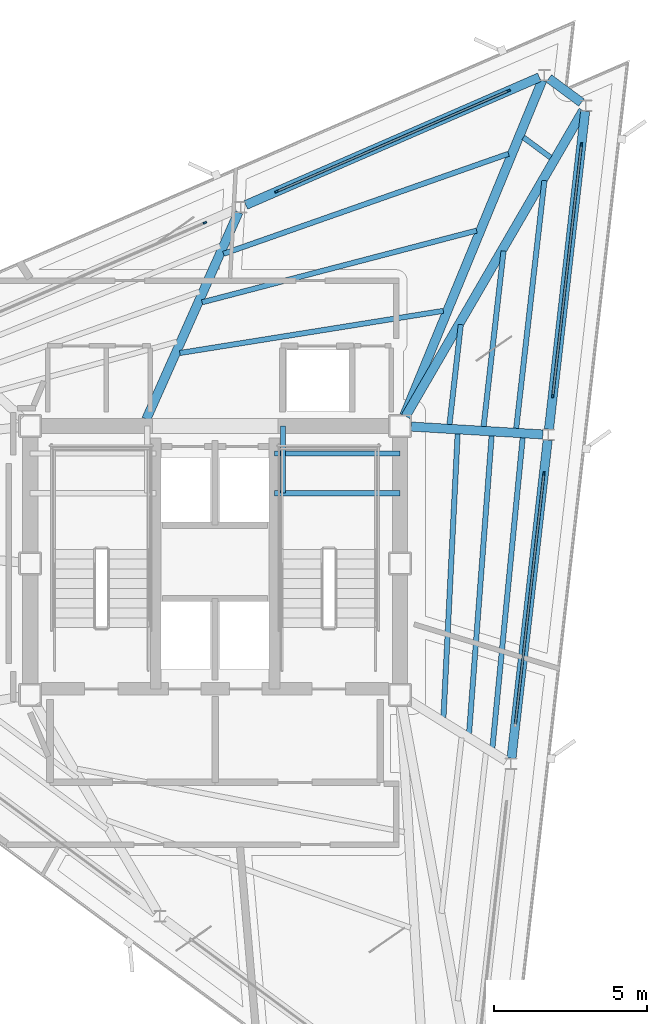
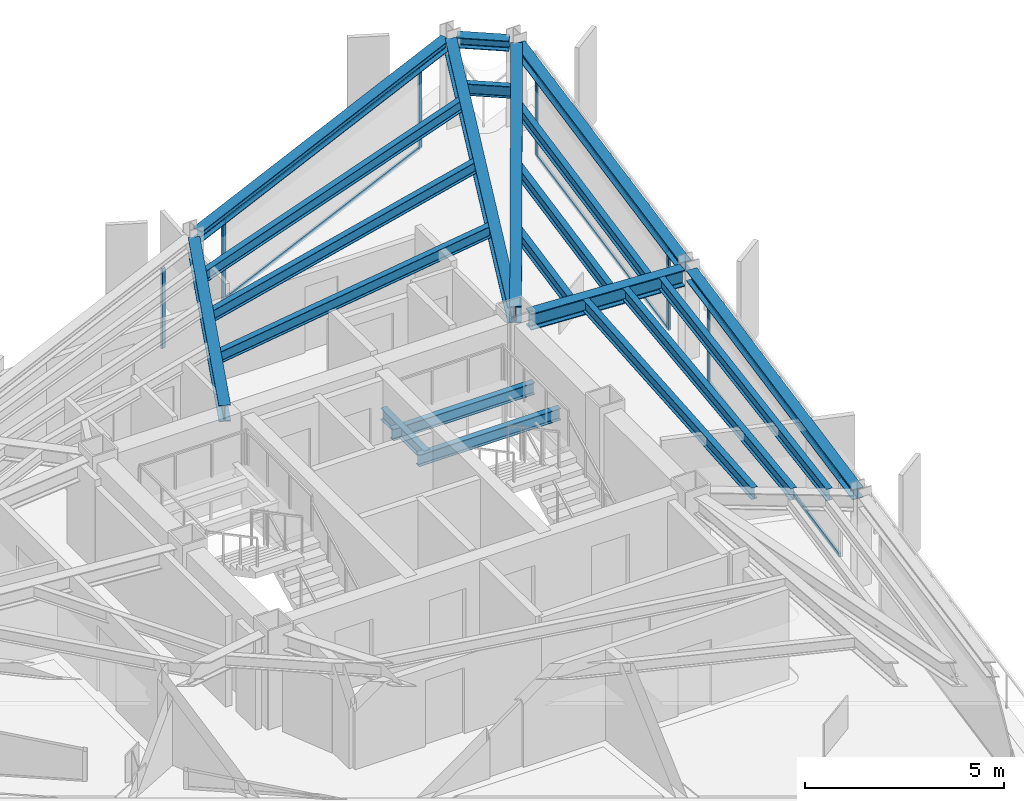
# One storey, part 4 of 10: 21 beams, 12 members, 4 elements without a shape of their own.
"""IFC4 building model written with IfcOpenShell, lengths in metres."""

from ifc_helpers import new_model, si_unit, direction, frame, origin, origin_2d, place, context, subcontext, project, spatial, rectangle, i_section, extrude, material, layer, layer_set, material_profile, profile_set, type_object, element, aggregate, save


model = new_model("IFC4")

# Units and contexts
model_context = context("Model", 3, precision=1e-05, world=origin(), true_north=direction((0.0, 1.0)))
body_context = subcontext(model_context, "Body", "Model", "MODEL_VIEW")
ifc_project = project(units=[si_unit("LENGTHUNIT", "METRE"), si_unit("AREAUNIT", "SQUARE_METRE"), si_unit("VOLUMEUNIT", "CUBIC_METRE"), si_unit("PLANEANGLEUNIT", "RADIAN"), si_unit("MASSUNIT", "GRAM", prefix="KILO")], contexts=[model_context])

# Site, building, storey
site_placement = place(None, origin())
site = spatial("IfcSite", under=ifc_project, at=site_placement, CompositionType="ELEMENT")
building_placement = place(site_placement, origin())
building = spatial("IfcBuilding", under=site, at=building_placement, Name="Rocaltana Carrier Exchange", CompositionType="ELEMENT")
storey_placement = place(building_placement, frame((0.0, 0.0, 224.0)))
storey = spatial("IfcBuildingStorey", under=building, at=storey_placement, Name="L71", CompositionType="ELEMENT", Elevation=224.0)

# Curtain wall, member
ifc_material_1 = material(Name="Aluminium 6063-T6", Category="aluminium")
ifc_layer = layer(ifc_material_1, 0.1201171875)
ifc_layer_set = layer_set([ifc_layer], Name="Aluminium 6063-T6")
curtain_wall_type = type_object("IfcCurtainWallType", Name="High-Altitude Thermal Curtain Wall CW-05", PredefinedType="NOTDEFINED", material=ifc_layer_set)
curtain_wall_1_placement = place(storey_placement, origin())
curtain_wall_1 = element("IfcCurtainWall", 1, at=curtain_wall_1_placement, inside=storey, type_object=curtain_wall_type, Name="L71 CW-05 Run CW-L71-F1S2", PredefinedType="NOTDEFINED")
ifc_material_2 = material(Name="Aluminium 6063-T6", Category="aluminium")
ifc_material_profile_1 = material_profile(ifc_material_2, rectangle(XDim=0.06005859375, YDim=0.1201171875, at=origin_2d()), Name="AL-60X120")
ifc_profile_set_1 = profile_set([ifc_material_profile_1], Name="Aluminium 6063-T6")
member_type_1 = type_object("IfcMemberType", Name="CW-05 Mullion AL-60X120", PredefinedType="MULLION", material=ifc_profile_set_1)
member_1_placement = place(storey_placement, frame((10.756591796875, 2.93798828125, 0.0), z_axis=(0.0, 0.0, 1.0), x_axis=(-0.993571216652, 0.113208822277, 0.0)))
member_1 = element("IfcMember", 2, at=member_1_placement, type_object=member_type_1, Name="CW-05 mullion 2", PredefinedType="MULLION", context=body_context, shape_type="SweptSolid", body=[
    extrude(rectangle(XDim=0.06005859375, YDim=0.1201171875, at=origin_2d()), origin(), (0.0, 0.0, 1.0), 2.447998046875),
])

# Curtain wall, members
curtain_wall_2_placement = place(storey_placement, origin())
curtain_wall_2 = element("IfcCurtainWall", 3, at=curtain_wall_2_placement, inside=storey, type_object=curtain_wall_type, Name="L71 CW-05 Run CW-L71-F1S3", PredefinedType="NOTDEFINED")
member_2_placement = place(storey_placement, frame((11.04638671875, 5.4814453125, 0.0), z_axis=(0.0, 0.0, 1.0), x_axis=(-0.993572566365, 0.113196975964, 0.0)))
member_2 = element("IfcMember", 4, at=member_2_placement, type_object=member_type_1, Name="CW-05 mullion 1", PredefinedType="MULLION", context=body_context, shape_type="SweptSolid", body=[
    extrude(rectangle(XDim=0.06005859375, YDim=0.1201171875, at=origin_2d()), origin(), (0.0, 0.0, 1.0), 2.447998046875),
])
member_3_placement = place(storey_placement, frame((11.98291015625, 13.70166015625, 0.0), z_axis=(0.0, 0.0, 1.0), x_axis=(-0.993572566365, 0.113196975964, 0.0)))
member_3 = element("IfcMember", 5, at=member_3_placement, type_object=member_type_1, Name="CW-05 mullion 2", PredefinedType="MULLION", context=body_context, shape_type="SweptSolid", body=[
    extrude(rectangle(XDim=0.06005859375, YDim=0.1201171875, at=origin_2d()), origin(), (0.0, 0.0, 1.0), 2.447998046875),
])

curtain_wall_3_placement = place(storey_placement, origin())
curtain_wall_3 = element("IfcCurtainWall", 6, at=curtain_wall_3_placement, inside=storey, type_object=curtain_wall_type, Name="L71 CW-05 Run CW-L71-F2S1", PredefinedType="NOTDEFINED")
member_4_placement = place(storey_placement, frame((9.599609375, 15.46533203125, 0.0), z_axis=(0.0, 0.0, 1.0), x_axis=(0.39875682637, -0.917056701313, 0.0)))
member_4 = element("IfcMember", 7, at=member_4_placement, type_object=member_type_1, Name="CW-05 mullion 1", PredefinedType="MULLION", context=body_context, shape_type="SweptSolid", body=[
    extrude(rectangle(XDim=0.06005859375, YDim=0.1201171875, at=origin_2d()), origin(), (0.0, 0.0, 1.0), 2.447998046875),
])
member_5_placement = place(storey_placement, frame((2.01220703125, 12.166259765625, 0.0), z_axis=(0.0, 0.0, 1.0), x_axis=(0.39875682637, -0.917056701313, 0.0)))
member_5 = element("IfcMember", 8, at=member_5_placement, type_object=member_type_1, Name="CW-05 mullion 2", PredefinedType="MULLION", context=body_context, shape_type="SweptSolid", body=[
    extrude(rectangle(XDim=0.06005859375, YDim=0.1201171875, at=origin_2d()), origin(), (0.0, 0.0, 1.0), 2.447998046875),
])

# Curtain wall, member
curtain_wall_4_placement = place(storey_placement, origin())
curtain_wall_4 = element("IfcCurtainWall", 9, at=curtain_wall_4_placement, inside=storey, type_object=curtain_wall_type, Name="L71 CW-05 Run CW-L71-F2S2", PredefinedType="NOTDEFINED")
member_6_placement = place(storey_placement, frame((-0.335205078125, 11.1455078125, 0.0), z_axis=(0.0, 0.0, 1.0), x_axis=(0.398752438254, -0.917058609352, 0.0)))
member_6 = element("IfcMember", 10, at=member_6_placement, type_object=member_type_1, Name="CW-05 mullion 1", PredefinedType="MULLION", context=body_context, shape_type="SweptSolid", body=[
    extrude(rectangle(XDim=0.06005859375, YDim=0.1201171875, at=origin_2d()), origin(), (0.0, 0.0, 1.0), 2.447998046875),
])
aggregate(curtain_wall_4, [member_6])

# Member
ifc_material_3 = material(Name="Aluminium 6063-T6", Category="aluminium")
ifc_material_profile_2 = material_profile(ifc_material_3, rectangle(XDim=0.06005859375, YDim=0.1201171875, at=origin_2d()), Name="AL-60X120")
ifc_profile_set_2 = profile_set([ifc_material_profile_2], Name="Aluminium 6063-T6")
member_type_2 = type_object("IfcMemberType", Name="CW-05 Transom AL-60X120", PredefinedType="USERDEFINED", material=ifc_profile_set_2)
member_7_placement = place(storey_placement, frame((9.8232421875, -5.25244140625, 0.030029296875), z_axis=(0.113220478228, 0.993569888488, 0.0), x_axis=(-0.993569888488, 0.113220478228, 0.0)))
member_7 = element("IfcMember", 11, at=member_7_placement, type_object=member_type_2, Name="CW-05 transom 1.1", ObjectType="TRANSOM", PredefinedType="USERDEFINED", context=body_context, shape_type="SweptSolid", body=[
    extrude(rectangle(XDim=0.06005859375, YDim=0.1201171875, at=origin_2d()), origin(), (0.0, 0.0, 1.0), 8.21337890625),
])

member_8_placement = place(storey_placement, frame((9.8232421875, -5.25244140625, 2.41796875), z_axis=(0.113220478228, 0.993569888488, 0.0), x_axis=(-0.993569888488, 0.113220478228, 0.0)))
member_8 = element("IfcMember", 12, at=member_8_placement, type_object=member_type_2, Name="CW-05 transom 1.2", ObjectType="TRANSOM", PredefinedType="USERDEFINED", context=body_context, shape_type="SweptSolid", body=[
    extrude(rectangle(XDim=0.06005859375, YDim=0.1201171875, at=origin_2d()), origin(), (0.0, 0.0, 1.0), 8.21337890625),
])

aggregate(curtain_wall_1, [member_1, member_7, member_8])

member_9_placement = place(storey_placement, frame((11.0498046875, 5.51123046875, 0.030029296875), z_axis=(0.113191134651, 0.993573231844, 0.0), x_axis=(-0.993573231844, 0.113191134651, 0.0)))
member_9 = element("IfcMember", 13, at=member_9_placement, type_object=member_type_2, Name="CW-05 transom 1.1", ObjectType="TRANSOM", PredefinedType="USERDEFINED", context=body_context, shape_type="SweptSolid", body=[
    extrude(rectangle(XDim=0.06005859375, YDim=0.1201171875, at=origin_2d()), origin(), (0.0, 0.0, 1.0), 8.21337890625),
])

member_10_placement = place(storey_placement, frame((11.0498046875, 5.51123046875, 2.41796875), z_axis=(0.113191134651, 0.993573231844, 0.0), x_axis=(-0.993573231844, 0.113191134651, 0.0)))
member_10 = element("IfcMember", 14, at=member_10_placement, type_object=member_type_2, Name="CW-05 transom 1.2", ObjectType="TRANSOM", PredefinedType="USERDEFINED", context=body_context, shape_type="SweptSolid", body=[
    extrude(rectangle(XDim=0.06005859375, YDim=0.1201171875, at=origin_2d()), origin(), (0.0, 0.0, 1.0), 8.21337890625),
])

aggregate(curtain_wall_2, [member_2, member_3, member_9, member_10])

member_11_placement = place(storey_placement, frame((9.572021484375, 15.453369140625, 0.030029296875), z_axis=(-0.917058241688, -0.398753283814, 0.0), x_axis=(0.398753283814, -0.917058241688, 0.0)))
member_11 = element("IfcMember", 15, at=member_11_placement, type_object=member_type_2, Name="CW-05 transom 1.1", ObjectType="TRANSOM", PredefinedType="USERDEFINED", context=body_context, shape_type="SweptSolid", body=[
    extrude(rectangle(XDim=0.06005859375, YDim=0.1201171875, at=origin_2d()), origin(), (0.0, 0.0, 1.0), 8.21337890625),
])

member_12_placement = place(storey_placement, frame((9.572021484375, 15.453369140625, 2.41796875), z_axis=(-0.917058241688, -0.398753283814, 0.0), x_axis=(0.398753283814, -0.917058241688, 0.0)))
member_12 = element("IfcMember", 16, at=member_12_placement, type_object=member_type_2, Name="CW-05 transom 1.2", ObjectType="TRANSOM", PredefinedType="USERDEFINED", context=body_context, shape_type="SweptSolid", body=[
    extrude(rectangle(XDim=0.06005859375, YDim=0.1201171875, at=origin_2d()), origin(), (0.0, 0.0, 1.0), 8.21337890625),
])

aggregate(curtain_wall_3, [member_4, member_5, member_11, member_12])

# Beams
ifc_material_4 = material(Name="Steel S355", Category="steel")
ifc_material_profile_3 = material_profile(ifc_material_4, i_section(OverallWidth=0.172119140625, OverallDepth=0.35791015625, WebThickness=0.0078125, FlangeThickness=0.01318359375, FilletRadius=0.011962890625, at=origin_2d()), Name="W14X38")
ifc_profile_set_3 = profile_set([ifc_material_profile_3], Name="Steel S355")
beam_type_1 = type_object("IfcBeamType", Name="Floor Joist W14X38", PredefinedType="JOIST", material=ifc_profile_set_3)
for number, where, z_axis, x_axis, name in (
    (17, (1.93994140625, 2.300048828125, 1.14111328125), (1.0, 0.0, 0.0), (0.0, 1.0, 0.0), "L71 ST-2 Landing Carrier 1"),
    (18, (1.93994140625, 3.60009765625, 1.14111328125), (1.0, 0.0, 0.0), (0.0, 1.0, 0.0), "L71 ST-2 Landing Carrier 2"),
):
    element("IfcBeam", number, at=place(storey_placement, frame(where, z_axis=z_axis, x_axis=x_axis)), inside=storey, type_object=beam_type_1, Name=name, PredefinedType="JOIST", context=body_context, shape_type="SweptSolid", body=[
        extrude(i_section(OverallWidth=0.172119140625, OverallDepth=0.35791015625, WebThickness=0.0078125, FlangeThickness=0.01318359375, FilletRadius=0.011962890625, at=origin_2d()), origin(), (0.0, 0.0, 1.0), 4.110107421875),
    ])
beam_1_placement = place(storey_placement, frame((2.219970703125, 2.300048828125, 1.14111328125), z_axis=(0.0, 1.0, 0.0), x_axis=(-1.0, 0.0, 0.0)))
element("IfcBeam", 19, at=beam_1_placement, inside=storey, type_object=beam_type_1, Name="L71 ST-2 Landing Cross Trimmer", PredefinedType="JOIST", context=body_context, shape_type="SweptSolid", body=[
    extrude(i_section(OverallWidth=0.172119140625, OverallDepth=0.35791015625, WebThickness=0.0078125, FlangeThickness=0.01318359375, FilletRadius=0.011962890625, at=origin_2d()), origin(), (0.0, 0.0, 1.0), 2.199951171875),
])
beam_2_placement = place(storey_placement, frame((7.470947265625, -5.03515625, 2.618896484375), z_axis=(0.049933684641, 0.998752535485, 0.0), x_axis=(-0.998752535485, 0.049933684641, 0.0)))
element("IfcBeam", 20, at=beam_2_placement, inside=storey, type_object=beam_type_1, Name="FJ-L71-02-1", PredefinedType="JOIST", context=body_context, shape_type="SweptSolid", body=[
    extrude(i_section(OverallWidth=0.172119140625, OverallDepth=0.35791015625, WebThickness=0.0078125, FlangeThickness=0.01318359375, FilletRadius=0.011962890625, at=origin_2d()), origin(), (0.0, 0.0, 1.0), 9.28955078125),
])
beam_3_placement = place(storey_placement, frame((8.308349609375, -5.553955078125, 2.618896484375), z_axis=(0.075705441131, 0.997130225288, 0.0), x_axis=(-0.997130225288, 0.075705441131, 0.0)))
element("IfcBeam", 21, at=beam_3_placement, inside=storey, type_object=beam_type_1, Name="FJ-L71-02-2", PredefinedType="JOIST", context=body_context, shape_type="SweptSolid", body=[
    extrude(i_section(OverallWidth=0.172119140625, OverallDepth=0.35791015625, WebThickness=0.0078125, FlangeThickness=0.01318359375, FilletRadius=0.011962890625, at=origin_2d()), origin(), (0.0, 0.0, 1.0), 9.758544921875),
])
beam_4_placement = place(storey_placement, frame((9.07275390625, -6.027587890625, 2.618896484375), z_axis=(0.097138741589, 0.995270850011, 0.0), x_axis=(-0.995270850011, 0.097138741589, 0.0)))
element("IfcBeam", 22, at=beam_4_placement, inside=storey, type_object=beam_type_1, Name="FJ-L71-02-3", PredefinedType="JOIST", context=body_context, shape_type="SweptSolid", body=[
    extrude(i_section(OverallWidth=0.172119140625, OverallDepth=0.35791015625, WebThickness=0.0078125, FlangeThickness=0.01318359375, FilletRadius=0.011962890625, at=origin_2d()), origin(), (0.0, 0.0, 1.0), 10.19140625),
])
beam_5_placement = place(storey_placement, frame((7.667236328125, 4.54736328125, 2.618896484375), z_axis=(0.113203016028, 0.993571878206, 0.0), x_axis=(-0.993571878206, 0.113203016028, 0.0)))
element("IfcBeam", 23, at=beam_5_placement, inside=storey, type_object=beam_type_1, Name="FJ-L71-03-1", PredefinedType="JOIST", context=body_context, shape_type="SweptSolid", body=[
    extrude(i_section(OverallWidth=0.172119140625, OverallDepth=0.35791015625, WebThickness=0.0078125, FlangeThickness=0.01318359375, FilletRadius=0.011962890625, at=origin_2d()), origin(), (0.0, 0.0, 1.0), 3.286865234375),
])
beam_6_placement = place(storey_placement, frame((8.783203125, 4.48046875, 2.618896484375), z_axis=(0.113185542157, 0.993573868943, 0.0), x_axis=(-0.993573868943, 0.113185542157, 0.0)))
element("IfcBeam", 24, at=beam_6_placement, inside=storey, type_object=beam_type_1, Name="FJ-L71-03-2", PredefinedType="JOIST", context=body_context, shape_type="SweptSolid", body=[
    extrude(i_section(OverallWidth=0.172119140625, OverallDepth=0.35791015625, WebThickness=0.0078125, FlangeThickness=0.01318359375, FilletRadius=0.011962890625, at=origin_2d()), origin(), (0.0, 0.0, 1.0), 5.778564453125),
])
beam_7_placement = place(storey_placement, frame((9.850341796875, 4.41650390625, 2.618896484375), z_axis=(0.113215051584, 0.993570506856, 0.0), x_axis=(-0.993570506856, 0.113215051584, 0.0)))
element("IfcBeam", 25, at=beam_7_placement, inside=storey, type_object=beam_type_1, Name="FJ-L71-03-3", PredefinedType="JOIST", context=body_context, shape_type="SweptSolid", body=[
    extrude(i_section(OverallWidth=0.172119140625, OverallDepth=0.35791015625, WebThickness=0.0078125, FlangeThickness=0.01318359375, FilletRadius=0.011962890625, at=origin_2d()), origin(), (0.0, 0.0, 1.0), 8.162109375),
])
beam_8_placement = place(storey_placement, frame((10.978759765625, 13.278564453125, 2.618896484375), z_axis=(-0.803783025316, 0.594922556484, 0.0), x_axis=(-0.594922556484, -0.803783025316, 0.0)))
element("IfcBeam", 26, at=beam_8_placement, inside=storey, type_object=beam_type_1, Name="FJ-L71-04-3", PredefinedType="JOIST", context=body_context, shape_type="SweptSolid", body=[
    extrude(i_section(OverallWidth=0.172119140625, OverallDepth=0.35791015625, WebThickness=0.0078125, FlangeThickness=0.01318359375, FilletRadius=0.011962890625, at=origin_2d()), origin(), (0.0, 0.0, 1.0), 1.1103515625),
])
beam_9_placement = place(storey_placement, frame((7.466552734375, 8.26416015625, 2.618896484375), z_axis=(-0.987434349957, -0.158029758352, 0.0), x_axis=(0.158029758352, -0.987434349957, 0.0)))
element("IfcBeam", 27, at=beam_9_placement, inside=storey, type_object=beam_type_1, Name="FJ-L71-05-1", PredefinedType="JOIST", context=body_context, shape_type="SweptSolid", body=[
    extrude(i_section(OverallWidth=0.172119140625, OverallDepth=0.35791015625, WebThickness=0.0078125, FlangeThickness=0.01318359375, FilletRadius=0.011962890625, at=origin_2d()), origin(), (0.0, 0.0, 1.0), 8.731689453125),
])
beam_10_placement = place(storey_placement, frame((8.5556640625, 10.889892578125, 2.618896484375), z_axis=(-0.967527830679, -0.252764508708, 0.0), x_axis=(0.252764508708, -0.967527830679, 0.0)))
element("IfcBeam", 28, at=beam_10_placement, inside=storey, type_object=beam_type_1, Name="FJ-L71-05-2", PredefinedType="JOIST", context=body_context, shape_type="SweptSolid", body=[
    extrude(i_section(OverallWidth=0.172119140625, OverallDepth=0.35791015625, WebThickness=0.0078125, FlangeThickness=0.01318359375, FilletRadius=0.011962890625, at=origin_2d()), origin(), (0.0, 0.0, 1.0), 9.2822265625),
])
beam_11_placement = place(storey_placement, frame((9.598388671875, 13.4033203125, 2.618896484375), z_axis=(-0.943534028817, -0.331275620087, 0.0), x_axis=(0.331275620087, -0.943534028817, 0.0)))
element("IfcBeam", 29, at=beam_11_placement, inside=storey, type_object=beam_type_1, Name="FJ-L71-05-3", PredefinedType="JOIST", context=body_context, shape_type="SweptSolid", body=[
    extrude(i_section(OverallWidth=0.172119140625, OverallDepth=0.35791015625, WebThickness=0.0078125, FlangeThickness=0.01318359375, FilletRadius=0.011962890625, at=origin_2d()), origin(), (0.0, 0.0, 1.0), 9.883544921875),
])
ifc_material_5 = material(Name="Steel S355", Category="steel")
ifc_material_profile_4 = material_profile(ifc_material_5, i_section(OverallWidth=0.300048828125, OverallDepth=0.320068359375, WebThickness=0.011474609375, FlangeThickness=0.0205078125, FilletRadius=0.027099609375, at=origin_2d()), Name="HEB320")
ifc_profile_set_4 = profile_set([ifc_material_profile_4], Name="Steel S355")
beam_type_2 = type_object("IfcBeamType", Name="Spandrel Edge Beam HEB320", PredefinedType="SPANDREL", material=ifc_profile_set_4)
for number, where, z_axis, x_axis, name in (
    (30, (9.6953125, -6.375732421875, 2.637939453125), (0.113206731638, 0.99357145486, 0.0), (-0.99357145486, 0.113206731638, 0.0), "SP-L71-02"),
    (31, (10.921630859375, 4.387939453125, 2.637939453125), (0.113206731638, 0.99357145486, 0.0), (-0.99357145486, 0.113206731638, 0.0), "SP-L71-03"),
):
    element("IfcBeam", number, at=place(storey_placement, frame(where, z_axis=z_axis, x_axis=x_axis)), inside=storey, type_object=beam_type_2, Name=name, PredefinedType="SPANDREL", context=body_context, shape_type="SweptSolid", body=[
        extrude(i_section(OverallWidth=0.300048828125, OverallDepth=0.320068359375, WebThickness=0.011474609375, FlangeThickness=0.0205078125, FilletRadius=0.027099609375, at=origin_2d()), origin(), (0.0, 0.0, 1.0), 10.474609375),
    ])
beam_12_placement = place(storey_placement, frame((11.9833984375, 15.080078125, 2.637939453125), z_axis=(-0.803827813477, 0.594862039703, 0.0), x_axis=(-0.594862039703, -0.803827813477, 0.0)))
element("IfcBeam", 32, at=beam_12_placement, inside=storey, type_object=beam_type_2, Name="SP-L71-04", PredefinedType="SPANDREL", context=body_context, shape_type="SweptSolid", body=[
    extrude(i_section(OverallWidth=0.300048828125, OverallDepth=0.320068359375, WebThickness=0.011474609375, FlangeThickness=0.0205078125, FilletRadius=0.027099609375, at=origin_2d()), origin(), (0.0, 0.0, 1.0), 1.326171875),
])
beam_13_placement = place(storey_placement, frame((10.608642578125, 15.904052734375, 2.637939453125), z_axis=(-0.91705375058, -0.398763612366, 0.0), x_axis=(0.398763612366, -0.91705375058, 0.0)))
element("IfcBeam", 33, at=beam_13_placement, inside=storey, type_object=beam_type_2, Name="SP-L71-05", PredefinedType="SPANDREL", context=body_context, shape_type="SweptSolid", body=[
    extrude(i_section(OverallWidth=0.300048828125, OverallDepth=0.320068359375, WebThickness=0.011474609375, FlangeThickness=0.0205078125, FilletRadius=0.027099609375, at=origin_2d()), origin(), (0.0, 0.0, 1.0), 10.474365234375),
])
ifc_material_6 = material(Name="Steel S355", Category="steel")
ifc_material_profile_5 = material_profile(ifc_material_6, i_section(OverallWidth=0.300048828125, OverallDepth=0.5, WebThickness=0.014404296875, FlangeThickness=0.028076171875, FilletRadius=0.027099609375, at=origin_2d()), Name="HEB500")
ifc_profile_set_5 = profile_set([ifc_material_profile_5], Name="Steel S355")
beam_type_3 = type_object("IfcBeamType", Name="Upper Radial Girder HEB500", PredefinedType="BEAM", material=ifc_profile_set_5)
beam_14_placement = place(storey_placement, frame((6.416259765625, 4.47802734375, 2.548095703125), z_axis=(0.998215724423, -0.05971069849, 0.0), x_axis=(0.05971069849, 0.998215724423, 0.0)))
element("IfcBeam", 34, at=beam_14_placement, inside=storey, type_object=beam_type_3, Name="RG-L71-03", PredefinedType="BEAM", context=body_context, shape_type="SweptSolid", body=[
    extrude(i_section(OverallWidth=0.300048828125, OverallDepth=0.5, WebThickness=0.014404296875, FlangeThickness=0.028076171875, FilletRadius=0.027099609375, at=origin_2d()), origin(), (0.0, 0.0, 1.0), 4.313720703125),
])
beam_15_placement = place(storey_placement, frame((6.234130859375, 4.8173828125, 2.548095703125), z_axis=(0.501914939846, 0.864916986282, 0.0), x_axis=(-0.864916986282, 0.501914939846, 0.0)))
element("IfcBeam", 35, at=beam_15_placement, inside=storey, type_object=beam_type_3, Name="RG-L71-04", PredefinedType="BEAM", context=body_context, shape_type="SweptSolid", body=[
    extrude(i_section(OverallWidth=0.300048828125, OverallDepth=0.5, WebThickness=0.014404296875, FlangeThickness=0.028076171875, FilletRadius=0.027099609375, at=origin_2d()), origin(), (0.0, 0.0, 1.0), 11.562744140625),
])
beam_16_placement = place(storey_placement, frame((6.189697265625, 4.83935546875, 2.548095703125), z_axis=(0.380622487271, 0.924730513276, 0.0), x_axis=(-0.924730513276, 0.380622487271, 0.0)))
element("IfcBeam", 36, at=beam_16_placement, inside=storey, type_object=beam_type_3, Name="RG-L71-05", PredefinedType="BEAM", context=body_context, shape_type="SweptSolid", body=[
    extrude(i_section(OverallWidth=0.300048828125, OverallDepth=0.5, WebThickness=0.014404296875, FlangeThickness=0.028076171875, FilletRadius=0.027099609375, at=origin_2d()), origin(), (0.0, 0.0, 1.0), 11.863037109375),
])
beam_17_placement = place(storey_placement, frame((-2.25146484375, 4.720947265625, 2.548095703125), z_axis=(0.406997014031, 0.913429488559, 0.0), x_axis=(-0.913429488559, 0.406997014031, 0.0)))
element("IfcBeam", 37, at=beam_17_placement, inside=storey, type_object=beam_type_3, Name="RG-L71-06", PredefinedType="BEAM", context=body_context, shape_type="SweptSolid", body=[
    extrude(i_section(OverallWidth=0.300048828125, OverallDepth=0.5, WebThickness=0.014404296875, FlangeThickness=0.028076171875, FilletRadius=0.027099609375, at=origin_2d()), origin(), (0.0, 0.0, 1.0), 7.412353515625),
])

save(model, "model.ifc")
